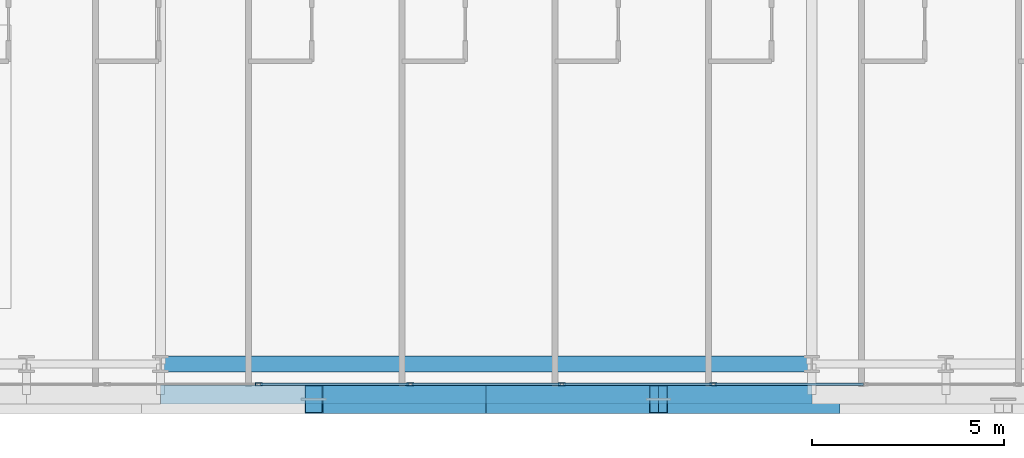
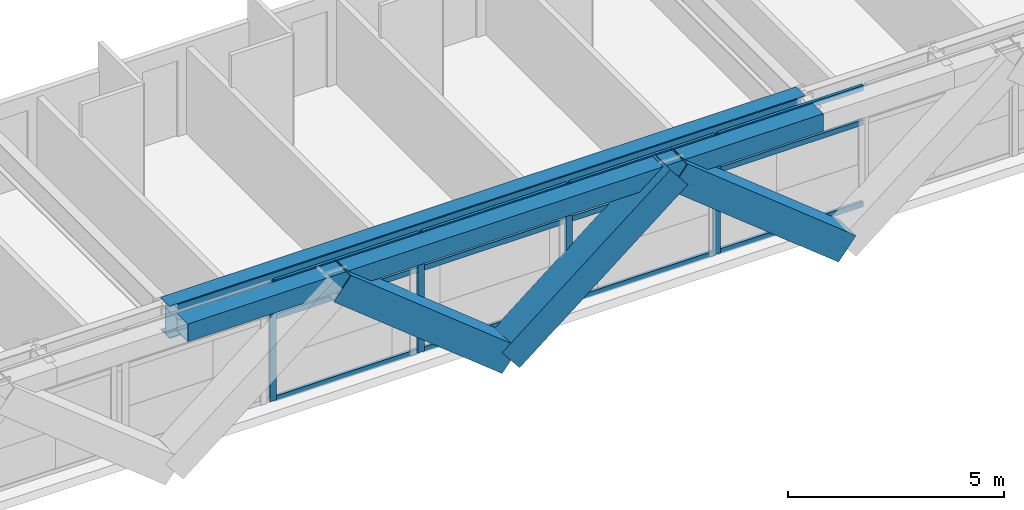
# One storey, part 5 of 36: 19 members, 2 beams, 1 element without a shape of its own.
"""IFC4 building model written with IfcOpenShell, lengths in metres."""

from ifc_helpers import new_model, si_unit, direction, frame, origin, origin_2d, place, context, subcontext, project, spatial, hollow_rectangle, i_section, extrude, source, transform, mapped, material, layer, layer_set, material_profile, profile_set, type_object, element, aggregate, save


model = new_model("IFC4")

# Units and contexts
model_context = context("Model", 3, precision=1e-05, world=origin(), true_north=direction((0.0, 1.0)))
body_context = subcontext(model_context, "Body", "Model", "MODEL_VIEW")
ifc_project = project(units=[si_unit("LENGTHUNIT", "METRE"), si_unit("AREAUNIT", "SQUARE_METRE"), si_unit("VOLUMEUNIT", "CUBIC_METRE"), si_unit("PLANEANGLEUNIT", "RADIAN"), si_unit("MASSUNIT", "GRAM", prefix="KILO")], contexts=[model_context])

# Site, building, storey
site_placement = place(None, origin())
site = spatial("IfcSite", under=ifc_project, at=site_placement, CompositionType="ELEMENT")
building_placement = place(site_placement, origin())
building = spatial("IfcBuilding", under=site, at=building_placement, Name="Ocotamira Hotel", CompositionType="ELEMENT")
storey_placement = place(building_placement, frame((0.0, 0.0, 133.199951171875)))
storey = spatial("IfcBuildingStorey", under=building, at=storey_placement, Name="L33", CompositionType="ELEMENT", Elevation=133.199951171875)

# Beams
ifc_material_1 = material(Name="Steel ASTM A992 Grade 50", Category="steel")
ifc_material_profile_1 = material_profile(ifc_material_1, i_section(OverallWidth=0.41796875, OverallDepth=0.927001953125, WebThickness=0.019287109375, FlangeThickness=0.031982421875, FilletRadius=0.02392578125, at=origin_2d()), Name="W36X231")
ifc_profile_set_1 = profile_set([ifc_material_profile_1], Name="Steel ASTM A992 Grade 50")
beam_type_1 = type_object("IfcBeamType", Name="BM-GIRD-W36X231", PredefinedType="BEAM", material=ifc_profile_set_1)
shared_shape_1 = source(origin(), body_context, "Body", "SweptSolid", [
    extrude(i_section(OverallWidth=0.41796875, OverallDepth=0.927001953125, WebThickness=0.019287109375, FlangeThickness=0.031982421875, FilletRadius=0.02392578125, at=origin_2d()), origin(), (0.0, 0.0, 1.0), 17.0),
])
beam_1_placement = place(storey_placement, frame((23.5, 2.949951171875, 2.896484375), z_axis=(1.0, 0.0, 0.0), x_axis=(0.0, 1.0, 0.0)))
element("IfcBeam", 1, at=beam_1_placement, inside=storey, type_object=beam_type_1, Name="L33 Girder Y2.95 X23.5-40.5", PredefinedType="BEAM", context=body_context, shape_type="MappedRepresentation", body=[
    mapped(shared_shape_1, transform((0.0, 0.0, 0.0), scale=1.0)),
])
ifc_material_2 = material(Name="Steel ASTM A500 Grade C", Category="steel")
ifc_material_profile_2 = material_profile(ifc_material_2, hollow_rectangle(XDim=0.5, YDim=0.5, WallThickness=0.02001953125, at=origin_2d()), Name="HSS500X500X20")
ifc_profile_set_2 = profile_set([ifc_material_profile_2], Name="Steel ASTM A500 Grade C")
beam_type_2 = type_object("IfcBeamType", Name="BM-SPAN-HSS500", PredefinedType="USERDEFINED", material=ifc_profile_set_2)
shared_shape_2 = source(origin(), body_context, "Body", "SweptSolid", [
    extrude(hollow_rectangle(XDim=0.5, YDim=0.5, WallThickness=0.02001953125, at=origin_2d()), origin(), (0.0, 0.0, 1.0), 17.0),
])
beam_2_placement = place(storey_placement, frame((23.5, 2.14990234375, 3.110107421875), z_axis=(1.0, 0.0, 0.0), x_axis=(0.0, 1.0, 0.0)))
element("IfcBeam", 2, at=beam_2_placement, inside=storey, type_object=beam_type_2, Name="L33 Edge Spandrel S X23.5-40.5", ObjectType="SPANDREL", PredefinedType="USERDEFINED", context=body_context, shape_type="MappedRepresentation", body=[
    mapped(shared_shape_2, transform((0.0, 0.0, 0.0), scale=1.0)),
])

# Members
ifc_material_3 = material(Name="Pale-metal coated steel ASTM A913 Grade 65", Category="steel")
ifc_material_profile_3 = material_profile(ifc_material_3, hollow_rectangle(XDim=0.75, YDim=0.75, WallThickness=0.028076171875, at=origin_2d()), Name="BOX750X750X28")
ifc_profile_set_3 = profile_set([ifc_material_profile_3], Name="Pale-metal coated steel ASTM A913 Grade 65")
member_type_1 = type_object("IfcMemberType", Name="MEM-EXO-BOX750", PredefinedType="BRACE", material=ifc_profile_set_3)
shared_shape_3 = source(origin(), body_context, "Body", "SweptSolid", [
    extrude(hollow_rectangle(XDim=0.75, YDim=0.75, WallThickness=0.028076171875, at=origin_2d()), origin(), (0.0, 0.0, 1.0), 5.762939453125),
])
for number, where, z_axis, x_axis, name in (
    (3, (32.0, 2.030029296875, -0.489990234375), (-0.780860543151, 0.0, 0.624705380279), (0.0, -1.0, 0.0), "L33 Exoskeleton Diagrid S1.2"),
    (4, (32.0, 2.030029296875, -0.489990234375), (0.780860543151, 0.0, 0.624705380279), (0.0, 1.0, 0.0), "L33 Exoskeleton Diagrid S2.1"),
    (5, (41.0, 2.030029296875, -0.489990234375), (-0.780860543151, 0.0, 0.624705380279), (0.0, -1.0, 0.0), "L33 Exoskeleton Diagrid S2.2"),
):
    element("IfcMember", number, at=place(storey_placement, frame(where, z_axis=z_axis, x_axis=x_axis)), inside=storey, type_object=member_type_1, Name=name, PredefinedType="BRACE", context=body_context, shape_type="MappedRepresentation", body=[
        mapped(shared_shape_3, transform((0.0, 0.0, 0.0), scale=1.0)),
    ])

# Curtain wall, members
ifc_material_4 = material(Name="Anodised pale-metal aluminium and solar glass", Category="aluminium")
ifc_layer = layer(ifc_material_4, 0.179931640625)
ifc_layer_set = layer_set([ifc_layer], Name="Anodised pale-metal aluminium and solar glass")
curtain_wall_type = type_object("IfcCurtainWallType", Name="CW-SYS3-Z2", PredefinedType="NOTDEFINED", material=ifc_layer_set)
curtain_wall_placement = place(storey_placement, origin())
curtain_wall = element("IfcCurtainWall", 6, at=curtain_wall_placement, inside=storey, type_object=curtain_wall_type, Name="L33 Curtain Wall CW-3 CW-L33-S1", PredefinedType="NOTDEFINED")
ifc_material_5 = material(Name="Anodised pale-metal aluminium 6063-T6", Category="aluminium")
ifc_material_profile_4 = material_profile(ifc_material_5, hollow_rectangle(XDim=0.074951171875, YDim=0.14990234375, WallThickness=0.006103515625, at=origin_2d()), Name="HSS150X75X6")
ifc_profile_set_4 = profile_set([ifc_material_profile_4], Name="Anodised pale-metal aluminium 6063-T6")
member_type_2 = type_object("IfcMemberType", Name="CWT-150X75", PredefinedType="USERDEFINED", material=ifc_profile_set_4)
shared_shape_4 = source(origin(), body_context, "Body", "SweptSolid", [
    extrude(hollow_rectangle(XDim=0.074951171875, YDim=0.14990234375, WallThickness=0.006103515625, at=origin_2d()), origin(), (0.0, 0.0, 1.0), 3.87548828125),
])
member_1_placement = place(storey_placement, frame((26.106689453125, 2.419921875, 0.03759765625), z_axis=(1.0, 0.0, 0.0), x_axis=(0.0, 1.0, 0.0)))
member_1 = element("IfcMember", 7, at=member_1_placement, type_object=member_type_2, Name="CW-3 transom 4.1", ObjectType="TRANSOM", PredefinedType="USERDEFINED", context=body_context, shape_type="MappedRepresentation", body=[
    mapped(shared_shape_4, transform((0.0, 0.0, 0.0), scale=1.0)),
])
member_2_placement = place(storey_placement, frame((26.106689453125, 2.419921875, 2.35009765625), z_axis=(1.0, 0.0, 0.0), x_axis=(0.0, 1.0, 0.0)))
member_2 = element("IfcMember", 8, at=member_2_placement, type_object=member_type_2, Name="CW-3 transom 4.2", ObjectType="TRANSOM", PredefinedType="USERDEFINED", context=body_context, shape_type="MappedRepresentation", body=[
    mapped(shared_shape_4, transform((0.0, 0.0, 0.0), scale=1.0)),
])
member_3_placement = place(storey_placement, frame((26.106689453125, 2.419921875, 3.322509765625), z_axis=(1.0, 0.0, 0.0), x_axis=(0.0, 1.0, 0.0)))
member_3 = element("IfcMember", 9, at=member_3_placement, type_object=member_type_2, Name="CW-3 transom 4.3", ObjectType="TRANSOM", PredefinedType="USERDEFINED", context=body_context, shape_type="MappedRepresentation", body=[
    mapped(shared_shape_4, transform((0.0, 0.0, 0.0), scale=1.0)),
])
member_4_placement = place(storey_placement, frame((30.062255859375, 2.419921875, 0.03759765625), z_axis=(1.0, 0.0, 0.0), x_axis=(0.0, 1.0, 0.0)))
member_4 = element("IfcMember", 10, at=member_4_placement, type_object=member_type_2, Name="CW-3 transom 5.1", ObjectType="TRANSOM", PredefinedType="USERDEFINED", context=body_context, shape_type="MappedRepresentation", body=[
    mapped(shared_shape_4, transform((0.0, 0.0, 0.0), scale=1.0)),
])
member_5_placement = place(storey_placement, frame((30.062255859375, 2.419921875, 2.35009765625), z_axis=(1.0, 0.0, 0.0), x_axis=(0.0, 1.0, 0.0)))
member_5 = element("IfcMember", 11, at=member_5_placement, type_object=member_type_2, Name="CW-3 transom 5.2", ObjectType="TRANSOM", PredefinedType="USERDEFINED", context=body_context, shape_type="MappedRepresentation", body=[
    mapped(shared_shape_4, transform((0.0, 0.0, 0.0), scale=1.0)),
])
member_6_placement = place(storey_placement, frame((30.062255859375, 2.419921875, 3.322509765625), z_axis=(1.0, 0.0, 0.0), x_axis=(0.0, 1.0, 0.0)))
member_6 = element("IfcMember", 12, at=member_6_placement, type_object=member_type_2, Name="CW-3 transom 5.3", ObjectType="TRANSOM", PredefinedType="USERDEFINED", context=body_context, shape_type="MappedRepresentation", body=[
    mapped(shared_shape_4, transform((0.0, 0.0, 0.0), scale=1.0)),
])
member_7_placement = place(storey_placement, frame((34.017822265625, 2.419921875, 0.03759765625), z_axis=(1.0, 0.0, 0.0), x_axis=(0.0, 1.0, 0.0)))
member_7 = element("IfcMember", 13, at=member_7_placement, type_object=member_type_2, Name="CW-3 transom 6.1", ObjectType="TRANSOM", PredefinedType="USERDEFINED", context=body_context, shape_type="MappedRepresentation", body=[
    mapped(shared_shape_4, transform((0.0, 0.0, 0.0), scale=1.0)),
])
member_8_placement = place(storey_placement, frame((34.017822265625, 2.419921875, 2.35009765625), z_axis=(1.0, 0.0, 0.0), x_axis=(0.0, 1.0, 0.0)))
member_8 = element("IfcMember", 14, at=member_8_placement, type_object=member_type_2, Name="CW-3 transom 6.2", ObjectType="TRANSOM", PredefinedType="USERDEFINED", context=body_context, shape_type="MappedRepresentation", body=[
    mapped(shared_shape_4, transform((0.0, 0.0, 0.0), scale=1.0)),
])
member_9_placement = place(storey_placement, frame((34.017822265625, 2.419921875, 3.322509765625), z_axis=(1.0, 0.0, 0.0), x_axis=(0.0, 1.0, 0.0)))
member_9 = element("IfcMember", 15, at=member_9_placement, type_object=member_type_2, Name="CW-3 transom 6.3", ObjectType="TRANSOM", PredefinedType="USERDEFINED", context=body_context, shape_type="MappedRepresentation", body=[
    mapped(shared_shape_4, transform((0.0, 0.0, 0.0), scale=1.0)),
])
member_10_placement = place(storey_placement, frame((37.973388671875, 2.419921875, 0.03759765625), z_axis=(1.0, 0.0, 0.0), x_axis=(0.0, 1.0, 0.0)))
member_10 = element("IfcMember", 16, at=member_10_placement, type_object=member_type_2, Name="CW-3 transom 7.1", ObjectType="TRANSOM", PredefinedType="USERDEFINED", context=body_context, shape_type="MappedRepresentation", body=[
    mapped(shared_shape_4, transform((0.0, 0.0, 0.0), scale=1.0)),
])
member_11_placement = place(storey_placement, frame((37.973388671875, 2.419921875, 2.35009765625), z_axis=(1.0, 0.0, 0.0), x_axis=(0.0, 1.0, 0.0)))
member_11 = element("IfcMember", 17, at=member_11_placement, type_object=member_type_2, Name="CW-3 transom 7.2", ObjectType="TRANSOM", PredefinedType="USERDEFINED", context=body_context, shape_type="MappedRepresentation", body=[
    mapped(shared_shape_4, transform((0.0, 0.0, 0.0), scale=1.0)),
])
member_12_placement = place(storey_placement, frame((37.973388671875, 2.419921875, 3.322509765625), z_axis=(1.0, 0.0, 0.0), x_axis=(0.0, 1.0, 0.0)))
member_12 = element("IfcMember", 18, at=member_12_placement, type_object=member_type_2, Name="CW-3 transom 7.3", ObjectType="TRANSOM", PredefinedType="USERDEFINED", context=body_context, shape_type="MappedRepresentation", body=[
    mapped(shared_shape_4, transform((0.0, 0.0, 0.0), scale=1.0)),
])
ifc_material_profile_5 = material_profile(ifc_material_5, hollow_rectangle(XDim=0.080078125, YDim=0.179931640625, WallThickness=0.006103515625, at=origin_2d()), Name="HSS180X80X6")
ifc_profile_set_5 = profile_set([ifc_material_profile_5], Name="Anodised pale-metal aluminium 6063-T6")
member_type_3 = type_object("IfcMemberType", Name="CWM-180X75", PredefinedType="MULLION", material=ifc_profile_set_5)
shared_shape_5 = source(origin(), body_context, "Body", "SweptSolid", [
    extrude(hollow_rectangle(XDim=0.080078125, YDim=0.179931640625, WallThickness=0.006103515625, at=origin_2d()), origin(), (0.0, 0.0, 1.0), 3.360107421875),
])
member_13_placement = place(storey_placement, frame((26.066650390625, 2.419921875, 0.0), z_axis=(0.0, 0.0, 1.0), x_axis=(0.0, 1.0, 0.0)))
member_13 = element("IfcMember", 19, at=member_13_placement, type_object=member_type_3, Name="CW-3 mullion 4", PredefinedType="MULLION", context=body_context, shape_type="MappedRepresentation", body=[
    mapped(shared_shape_5, transform((0.0, 0.0, 0.0), scale=1.0)),
])
member_14_placement = place(storey_placement, frame((30.022216796875, 2.419921875, 0.0), z_axis=(0.0, 0.0, 1.0), x_axis=(0.0, 1.0, 0.0)))
member_14 = element("IfcMember", 20, at=member_14_placement, type_object=member_type_3, Name="CW-3 mullion 5", PredefinedType="MULLION", context=body_context, shape_type="MappedRepresentation", body=[
    mapped(shared_shape_5, transform((0.0, 0.0, 0.0), scale=1.0)),
])
member_15_placement = place(storey_placement, frame((33.977783203125, 2.419921875, 0.0), z_axis=(0.0, 0.0, 1.0), x_axis=(0.0, 1.0, 0.0)))
member_15 = element("IfcMember", 21, at=member_15_placement, type_object=member_type_3, Name="CW-3 mullion 6", PredefinedType="MULLION", context=body_context, shape_type="MappedRepresentation", body=[
    mapped(shared_shape_5, transform((0.0, 0.0, 0.0), scale=1.0)),
])
member_16_placement = place(storey_placement, frame((37.933349609375, 2.419921875, 0.0), z_axis=(0.0, 0.0, 1.0), x_axis=(0.0, 1.0, 0.0)))
member_16 = element("IfcMember", 22, at=member_16_placement, type_object=member_type_3, Name="CW-3 mullion 7", PredefinedType="MULLION", context=body_context, shape_type="MappedRepresentation", body=[
    mapped(shared_shape_5, transform((0.0, 0.0, 0.0), scale=1.0)),
])
aggregate(curtain_wall, [member_13, member_14, member_15, member_16, member_1, member_2, member_3, member_4, member_5, member_6, member_7, member_8, member_9, member_10, member_11, member_12])

save(model, "model.ifc")
